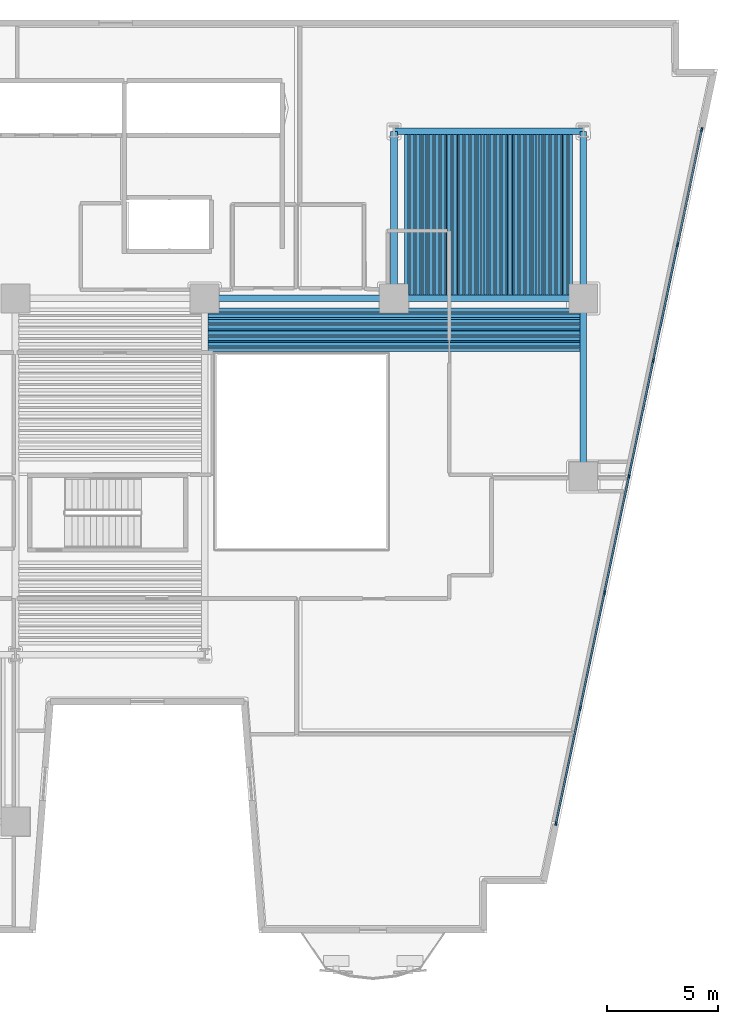
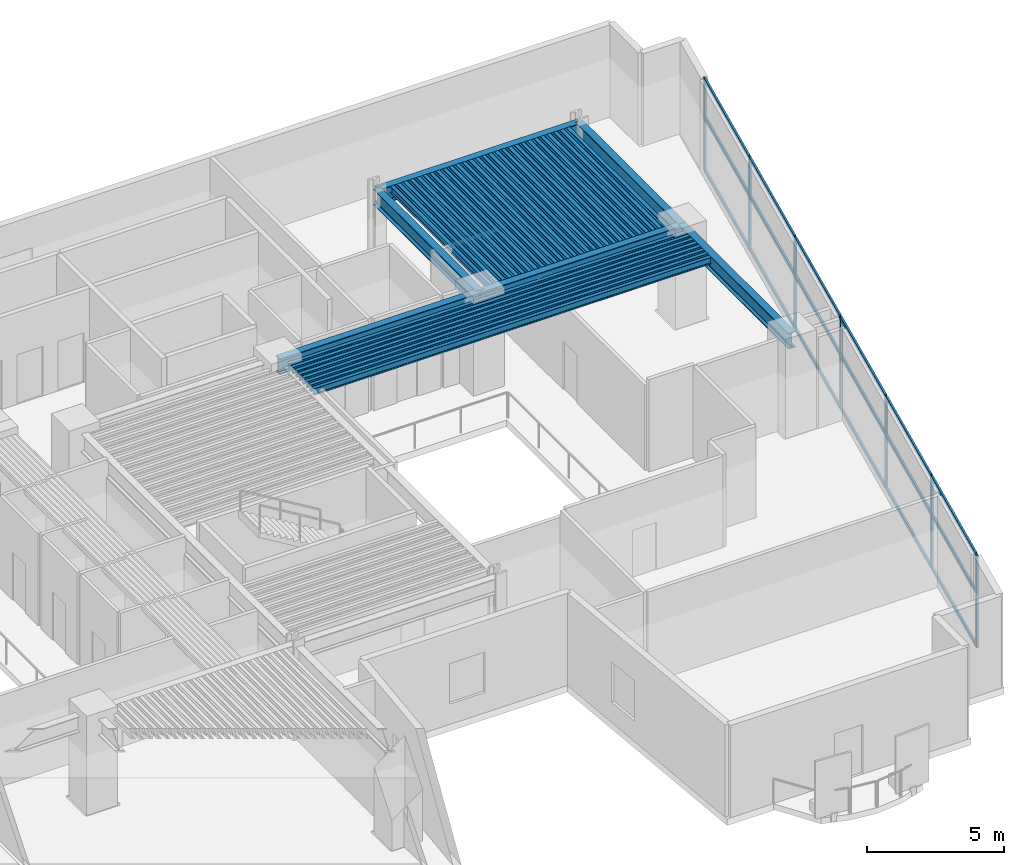
# One storey, part 2 of 11: 76 beams, 25 members, 1 element without a shape of its own.
"""IFC4 building model written with IfcOpenShell, lengths in metres."""

import ifcopenshell
import ifcopenshell.guid

model = None  # the IFC model being written
_history = None  # IfcOwnerHistory: only IFC2X3 demands one
_inside = {}  # id of a spatial element -> (the spatial element, [elements in it])
_under = {}  # id of a project, library or spatial element -> (it, [spatial elements below it])
_declared = {}  # id of a project -> (the project, [libraries it declares])
_typed = {}  # id of a type object -> (the type object, [elements of that type])
_made_of = {}  # id of a material, layer set ... -> (it, [elements and type objects made of it])


def new_model(schema):
    """Start an empty IFC model of exactly this schema.

    Asked for "IFC4X3", IfcOpenShell would pick the latest addendum, in which some entities
    have other attributes; the version numbers below select the first issue.
    IFC2X3 requires an IfcOwnerHistory on every rooted entity: one is made here for all.
    """
    global model, _history
    if schema == "IFC4X3":
        model = ifcopenshell.file(schema_version=(4, 3, 0, 0))
    else:
        model = ifcopenshell.file(schema=schema)
    _inside.clear()
    _under.clear()
    _declared.clear()
    _typed.clear()
    _made_of.clear()
    _history = None
    if model.schema == "IFC2X3":
        org = make("IfcOrganization", Name="unknown")
        user = make(
            "IfcPersonAndOrganization",
            ThePerson=make("IfcPerson", FamilyName="unknown"),
            TheOrganization=org,
        )
        app = make(
            "IfcApplication",
            ApplicationDeveloper=org,
            Version="unknown",
            ApplicationFullName="unknown",
            ApplicationIdentifier="unknown",
        )
        _history = make(
            "IfcOwnerHistory",
            OwningUser=user,
            OwningApplication=app,
            ChangeAction="ADDED",
            CreationDate=0,
        )
    return model


def make(cls, **values):
    """One entity of the class cls with the attributes given. An attribute that is None is left unset."""
    return model.create_entity(
        cls, **{name: value for name, value in values.items() if value is not None}
    )


def rooted(cls, **values):
    """An entity with a GlobalId (a new one), such as an element, a storey or a relation."""
    return make(cls, GlobalId=ifcopenshell.guid.new(), OwnerHistory=_history, **values)


def si_unit(unit_type, name, prefix=None):
    """IfcSIUnit, for example si_unit("LENGTHUNIT", "METRE", prefix="MILLI")."""
    return make("IfcSIUnit", UnitType=unit_type, Prefix=prefix, Name=name)


def assignment(units):
    """IfcUnitAssignment: the units of a project."""
    return None if units is None else make("IfcUnitAssignment", Units=units)


def point(xyz):
    """IfcCartesianPoint."""
    return None if xyz is None else make("IfcCartesianPoint", Coordinates=xyz)


def direction(xyz):
    """IfcDirection."""
    return None if xyz is None else make("IfcDirection", DirectionRatios=xyz)


def frame(location, z_axis=None, x_axis=None):
    """IfcAxis2Placement3D, a coordinate frame: its origin and axes. An axis left out is left unset."""
    return make(
        "IfcAxis2Placement3D",
        Location=point(location),
        Axis=direction(z_axis),
        RefDirection=direction(x_axis),
    )


def frame_2d(location, x_axis=None):
    """IfcAxis2Placement2D, a coordinate frame in the plane: its origin and x axis."""
    return make(
        "IfcAxis2Placement2D", Location=point(location), RefDirection=direction(x_axis)
    )


def origin():
    """The frame at (0, 0, 0) with its axes left unset."""
    return frame((0.0, 0.0, 0.0))


def origin_2d():
    """The frame at (0, 0) in the plane with its x axis left unset."""
    return frame_2d((0.0, 0.0))


def place(relative_to, where):
    """IfcLocalPlacement: puts the frame where relative to a parent placement (None: the world)."""
    return make(
        "IfcLocalPlacement", PlacementRelTo=relative_to, RelativePlacement=where
    )


def context(
    kind, dimensions, precision=None, world=None, true_north=None, identifier=None
):
    """IfcGeometricRepresentationContext, for example the 3D "Model" context."""
    return make(
        "IfcGeometricRepresentationContext",
        ContextIdentifier=identifier,
        ContextType=kind,
        CoordinateSpaceDimension=dimensions,
        Precision=precision,
        WorldCoordinateSystem=world,
        TrueNorth=true_north,
    )


def subcontext(parent, identifier, kind, view, scale=None):
    """IfcGeometricRepresentationSubContext, for example "Body" below "Model"."""
    return make(
        "IfcGeometricRepresentationSubContext",
        ContextIdentifier=identifier,
        ContextType=kind,
        ParentContext=parent,
        TargetScale=scale,
        TargetView=view,
    )


def project(units=None, contexts=None):
    """IfcProject with its units and contexts."""
    return rooted(
        "IfcProject",
        Name="project",
        RepresentationContexts=contexts,
        UnitsInContext=assignment(units),
    )


def spatial(cls, under=None, at=None, **own):
    """A site, building, storey or space (cls), placed at a placement, below another one or the project."""
    s = rooted(cls, ObjectPlacement=at, **own)
    if under is not None:
        _under.setdefault(under.id(), (under, []))[1].append(s)
    return s


def profile(cls, at=None, kind="AREA", **sizes):
    """A parametric profile (cls). Its sizes go by their IFC names, for example OverallWidth=200.0."""
    return make(cls, ProfileType=kind, Position=at, **sizes)


def rectangle(**sizes):
    """IfcRectangleProfileDef."""
    return profile("IfcRectangleProfileDef", **sizes)


def hollow_rectangle(**sizes):
    """IfcRectangleHollowProfileDef."""
    return profile("IfcRectangleHollowProfileDef", **sizes)


def i_section(**sizes):
    """IfcIShapeProfileDef."""
    return profile("IfcIShapeProfileDef", **sizes)


def extrude(swept, where, along, depth):
    """IfcExtrudedAreaSolid: the profile swept, set in the frame where, extruded along a direction by depth."""
    return make(
        "IfcExtrudedAreaSolid",
        SweptArea=swept,
        Position=where,
        ExtrudedDirection=direction(along),
        Depth=depth,
    )


def shape(context_of_items, identifier, shape_type, items):
    """IfcShapeRepresentation: the items that make up one representation, for example the "Body"."""
    return make(
        "IfcShapeRepresentation",
        ContextOfItems=context_of_items,
        RepresentationIdentifier=identifier,
        RepresentationType=shape_type,
        Items=items,
    )


def material(Name=None, Category=None):
    """IfcMaterial."""
    return make("IfcMaterial", Name=Name, Category=Category)


def layer(
    of_material, thickness, ventilated=None, Name=None, Category=None, Priority=None
):
    """IfcMaterialLayer: one layer of a wall or slab, of a material (None: an air gap)."""
    return make(
        "IfcMaterialLayer",
        Material=of_material,
        LayerThickness=thickness,
        IsVentilated=ventilated,
        Name=Name,
        Category=Category,
        Priority=Priority,
    )


def layer_set(layers, Name=None):
    """IfcMaterialLayerSet."""
    return make("IfcMaterialLayerSet", MaterialLayers=layers, LayerSetName=Name)


def material_profile(
    of_material, cross_section, Name=None, Category=None, Priority=None
):
    """IfcMaterialProfile: a cross section and its material."""
    return make(
        "IfcMaterialProfile",
        Name=Name,
        Material=of_material,
        Profile=cross_section,
        Priority=Priority,
        Category=Category,
    )


def profile_set(profiles, Name=None, composite=None):
    """IfcMaterialProfileSet."""
    return make(
        "IfcMaterialProfileSet",
        Name=Name,
        MaterialProfiles=profiles,
        CompositeProfile=composite,
    )


def made_of(thing, what):
    """Note that an element or type object is made of a material, layer set ...; save() writes the relation."""
    if what is not None:
        _made_of.setdefault(what.id(), (what, []))[1].append(thing)
    return thing


def type_object(cls, material=None, **own):
    """A type object (cls), such as IfcWallType, which elements share."""
    return made_of(rooted(cls, **own), material)


def element(
    cls,
    number,
    at=None,
    inside=None,
    cuts=None,
    type_object=None,
    material=None,
    context=None,
    identifier="Body",
    shape_type=None,
    held_by="IfcProductDefinitionShape",
    body=None,
    shapes=None,
    **own,
):
    """One element of the class cls, such as IfcWall. Its Tag is "e" and its number.

    at: its placement. inside: the storey or other place that contains it. cuts: it is an
    opening in that element (IfcRelVoidsElement). A single representation is given by context,
    identifier, shape_type and body (its items); several are given by shapes. held_by: the class
    of the entity that holds the representations. save() writes the other relations.
    """
    e = rooted(cls, Tag="e%d" % number, ObjectPlacement=at, **own)
    if body is not None:
        shapes = [shape(context, identifier, shape_type, body)]
    if shapes is not None:
        e.Representation = make(held_by, Representations=shapes)
    if inside is not None:
        _inside.setdefault(inside.id(), (inside, []))[1].append(e)
    if cuts is not None:
        rooted(
            "IfcRelVoidsElement", RelatingBuildingElement=cuts, RelatedOpeningElement=e
        )
    if type_object is not None:
        _typed.setdefault(type_object.id(), (type_object, []))[1].append(e)
    return made_of(e, material)


def aggregate(whole, parts):
    """IfcRelAggregates: a whole, such as a stair, and the parts it consists of."""
    return rooted("IfcRelAggregates", RelatingObject=whole, RelatedObjects=parts)


def save(model, path):
    """Write the relations noted so far, then the file.

    IfcRelAggregates (storeys below a building ...), IfcRelContainedInSpatialStructure (elements
    in a storey), IfcRelDefinesByType, IfcRelAssociatesMaterial and IfcRelDeclares: one each for
    every whole, place, type object, material and project.
    """
    for whole, parts in _under.values():
        aggregate(whole, parts)
    for where, things in _inside.values():
        rooted(
            "IfcRelContainedInSpatialStructure",
            RelatedElements=things,
            RelatingStructure=where,
        )
    for kind, things in _typed.values():
        rooted("IfcRelDefinesByType", RelatedObjects=things, RelatingType=kind)
    for what, things in _made_of.values():
        rooted("IfcRelAssociatesMaterial", RelatedObjects=things, RelatingMaterial=what)
    for by, libraries in _declared.values():
        rooted("IfcRelDeclares", RelatingContext=by, RelatedDefinitions=libraries)
    model.write(path)


model = new_model("IFC4")

# Units and contexts
model_context = context("Model", 3, precision=1e-05, world=origin(), true_north=direction((0.0, 1.0)))
body_context = subcontext(model_context, "Body", "Model", "MODEL_VIEW")
ifc_project = project(units=[si_unit("LENGTHUNIT", "METRE"), si_unit("AREAUNIT", "SQUARE_METRE"), si_unit("VOLUMEUNIT", "CUBIC_METRE"), si_unit("PLANEANGLEUNIT", "RADIAN"), si_unit("MASSUNIT", "GRAM", prefix="KILO")], contexts=[model_context])

# Site, building, storey
site_placement = place(None, origin())
site = spatial("IfcSite", under=ifc_project, at=site_placement, CompositionType="ELEMENT")
building_placement = place(site_placement, origin())
building = spatial("IfcBuilding", under=site, at=building_placement, Name="Caeloran Harvest Quay", CompositionType="ELEMENT")
storey_placement = place(building_placement, frame((0.0, 0.0, 44.60009765625)))
storey = spatial("IfcBuildingStorey", under=building, at=storey_placement, Name="L10", CompositionType="ELEMENT", Elevation=44.60009765625)

# Beams
ifc_material_1 = material(Name="Steel S355J2", Category="steel")
ifc_material_profile_1 = material_profile(ifc_material_1, i_section(OverallWidth=0.300048828125, OverallDepth=0.699951171875, WebThickness=0.01708984375, FlangeThickness=0.031982421875, FilletRadius=0.027099609375, at=origin_2d()), Name="HE 700 B")
ifc_profile_set_1 = profile_set([ifc_material_profile_1], Name="Steel S355J2")
beam_type_1 = type_object("IfcBeamType", Name="BM-PG-2-HE_700_B", PredefinedType="BEAM", material=ifc_profile_set_1)
for number, where, z_axis, x_axis, name in (
    (1, (34.0, 31.0, 3.75), (1.0, 0.0, 0.0), (0.0, 1.0, 0.0), "L10 Primary East-West Girder Y=31.0"),
    (2, (42.5, 31.0, 3.75), (1.0, 0.0, 0.0), (0.0, 1.0, 0.0), "L10 Primary East-West Girder Y=31.0"),
    (3, (42.5, 38.5, 3.75), (1.0, 0.0, 0.0), (0.0, 1.0, 0.0), "L10 Primary East-West Girder Y=38.5"),
):
    element("IfcBeam", number, at=place(storey_placement, frame(where, z_axis=z_axis, x_axis=x_axis)), inside=storey, type_object=beam_type_1, Name=name, PredefinedType="BEAM", context=body_context, shape_type="SweptSolid", body=[
        extrude(i_section(OverallWidth=0.300048828125, OverallDepth=0.699951171875, WebThickness=0.01708984375, FlangeThickness=0.031982421875, FilletRadius=0.027099609375, at=origin_2d()), origin(), (0.0, 0.0, 1.0), 8.5),
    ])
beam_1_placement = place(storey_placement, frame((42.5, 31.0, 3.75), z_axis=(0.0, 1.0, 0.0), x_axis=(-1.0, 0.0, 0.0)))
element("IfcBeam", 4, at=beam_1_placement, inside=storey, type_object=beam_type_1, Name="L10 Primary North-South Girder X=42.5", PredefinedType="BEAM", context=body_context, shape_type="SweptSolid", body=[
    extrude(i_section(OverallWidth=0.300048828125, OverallDepth=0.699951171875, WebThickness=0.01708984375, FlangeThickness=0.031982421875, FilletRadius=0.027099609375, at=origin_2d()), origin(), (0.0, 0.0, 1.0), 7.5),
])
beam_2_placement = place(storey_placement, frame((51.0, 23.0, 3.75), z_axis=(0.0, 1.0, 0.0), x_axis=(-1.0, 0.0, 0.0)))
element("IfcBeam", 5, at=beam_2_placement, inside=storey, type_object=beam_type_1, Name="L10 Primary North-South Girder X=51.0", PredefinedType="BEAM", context=body_context, shape_type="SweptSolid", body=[
    extrude(i_section(OverallWidth=0.300048828125, OverallDepth=0.699951171875, WebThickness=0.01708984375, FlangeThickness=0.031982421875, FilletRadius=0.027099609375, at=origin_2d()), origin(), (0.0, 0.0, 1.0), 8.0),
])
beam_3_placement = place(storey_placement, frame((51.0, 31.0, 3.75), z_axis=(0.0, 1.0, 0.0), x_axis=(-1.0, 0.0, 0.0)))
element("IfcBeam", 6, at=beam_3_placement, inside=storey, type_object=beam_type_1, Name="L10 Primary North-South Girder X=51.0", PredefinedType="BEAM", context=body_context, shape_type="SweptSolid", body=[
    extrude(i_section(OverallWidth=0.300048828125, OverallDepth=0.699951171875, WebThickness=0.01708984375, FlangeThickness=0.031982421875, FilletRadius=0.027099609375, at=origin_2d()), origin(), (0.0, 0.0, 1.0), 7.5),
])
ifc_material_profile_2 = material_profile(ifc_material_1, i_section(OverallWidth=0.14990234375, OverallDepth=0.300048828125, WebThickness=0.007080078125, FlangeThickness=0.0107421875, FilletRadius=0.014892578125, at=origin_2d()), Name="IPE 300")
ifc_profile_set_2 = profile_set([ifc_material_profile_2], Name="Steel S355J2")
beam_type_2 = type_object("IfcBeamType", Name="BM-SB-6-IPE_300", PredefinedType="JOIST", material=ifc_profile_set_2)
for number, where, z_axis, x_axis, name in (
    (7, (43.04833984375, 31.14501953125, 3.949951171875), (0.0, 1.0, 0.0), (-1.0, 0.0, 0.0), "L10 Secondary Composite Joist"),
    (8, (43.322509765625, 31.14501953125, 3.949951171875), (0.0, 1.0, 0.0), (-1.0, 0.0, 0.0), "L10 Secondary Composite Joist"),
    (9, (43.5966796875, 31.14501953125, 3.949951171875), (0.0, 1.0, 0.0), (-1.0, 0.0, 0.0), "L10 Secondary Composite Joist"),
    (10, (43.87109375, 31.14501953125, 3.949951171875), (0.0, 1.0, 0.0), (-1.0, 0.0, 0.0), "L10 Secondary Composite Joist"),
    (11, (44.145263671875, 31.14501953125, 3.949951171875), (0.0, 1.0, 0.0), (-1.0, 0.0, 0.0), "L10 Secondary Composite Joist"),
    (12, (44.41943359375, 31.14501953125, 3.949951171875), (0.0, 1.0, 0.0), (-1.0, 0.0, 0.0), "L10 Secondary Composite Joist"),
    (13, (44.693603515625, 31.14501953125, 3.949951171875), (0.0, 1.0, 0.0), (-1.0, 0.0, 0.0), "L10 Secondary Composite Joist"),
    (14, (44.9677734375, 31.14501953125, 3.949951171875), (0.0, 1.0, 0.0), (-1.0, 0.0, 0.0), "L10 Secondary Composite Joist"),
    (15, (45.241943359375, 31.14501953125, 3.949951171875), (0.0, 1.0, 0.0), (-1.0, 0.0, 0.0), "L10 Secondary Composite Joist"),
    (16, (45.51611328125, 31.14501953125, 3.949951171875), (0.0, 1.0, 0.0), (-1.0, 0.0, 0.0), "L10 Secondary Composite Joist"),
    (17, (45.790283203125, 31.14501953125, 3.949951171875), (0.0, 1.0, 0.0), (-1.0, 0.0, 0.0), "L10 Secondary Composite Joist"),
    (18, (46.064453125, 31.14501953125, 3.949951171875), (0.0, 1.0, 0.0), (-1.0, 0.0, 0.0), "L10 Secondary Composite Joist"),
    (19, (46.338623046875, 31.14501953125, 3.949951171875), (0.0, 1.0, 0.0), (-1.0, 0.0, 0.0), "L10 Secondary Composite Joist"),
    (20, (46.61279296875, 31.14501953125, 3.949951171875), (0.0, 1.0, 0.0), (-1.0, 0.0, 0.0), "L10 Secondary Composite Joist"),
    (21, (46.88720703125, 31.14501953125, 3.949951171875), (0.0, 1.0, 0.0), (-1.0, 0.0, 0.0), "L10 Secondary Composite Joist"),
    (22, (47.161376953125, 31.14501953125, 3.949951171875), (0.0, 1.0, 0.0), (-1.0, 0.0, 0.0), "L10 Secondary Composite Joist"),
    (23, (47.435546875, 31.14501953125, 3.949951171875), (0.0, 1.0, 0.0), (-1.0, 0.0, 0.0), "L10 Secondary Composite Joist"),
    (24, (47.709716796875, 31.14501953125, 3.949951171875), (0.0, 1.0, 0.0), (-1.0, 0.0, 0.0), "L10 Secondary Composite Joist"),
    (25, (47.98388671875, 31.14501953125, 3.949951171875), (0.0, 1.0, 0.0), (-1.0, 0.0, 0.0), "L10 Secondary Composite Joist"),
    (26, (48.258056640625, 31.14501953125, 3.949951171875), (0.0, 1.0, 0.0), (-1.0, 0.0, 0.0), "L10 Secondary Composite Joist"),
    (27, (48.5322265625, 31.14501953125, 3.949951171875), (0.0, 1.0, 0.0), (-1.0, 0.0, 0.0), "L10 Secondary Composite Joist"),
    (28, (48.806396484375, 31.14501953125, 3.949951171875), (0.0, 1.0, 0.0), (-1.0, 0.0, 0.0), "L10 Secondary Composite Joist"),
    (29, (49.08056640625, 31.14501953125, 3.949951171875), (0.0, 1.0, 0.0), (-1.0, 0.0, 0.0), "L10 Secondary Composite Joist"),
    (30, (49.354736328125, 31.14501953125, 3.949951171875), (0.0, 1.0, 0.0), (-1.0, 0.0, 0.0), "L10 Secondary Composite Joist"),
    (31, (49.62890625, 31.14501953125, 3.949951171875), (0.0, 1.0, 0.0), (-1.0, 0.0, 0.0), "L10 Secondary Composite Joist"),
    (32, (49.9033203125, 31.14501953125, 3.949951171875), (0.0, 1.0, 0.0), (-1.0, 0.0, 0.0), "L10 Secondary Composite Joist"),
    (33, (50.177490234375, 31.14501953125, 3.949951171875), (0.0, 1.0, 0.0), (-1.0, 0.0, 0.0), "L10 Secondary Composite Joist"),
    (34, (50.45166015625, 31.14501953125, 3.949951171875), (0.0, 1.0, 0.0), (-1.0, 0.0, 0.0), "L10 Secondary Composite Joist"),
):
    element("IfcBeam", number, at=place(storey_placement, frame(where, z_axis=z_axis, x_axis=x_axis)), inside=storey, type_object=beam_type_2, Name=name, PredefinedType="JOIST", context=body_context, shape_type="SweptSolid", body=[
        extrude(i_section(OverallWidth=0.14990234375, OverallDepth=0.300048828125, WebThickness=0.007080078125, FlangeThickness=0.0107421875, FilletRadius=0.014892578125, at=origin_2d()), origin(), (0.0, 0.0, 1.0), 7.2099609375),
    ])
for number, where, z_axis, x_axis, name in (
    (35, (34.14501953125, 28.677490234375, 3.949951171875), (1.0, 0.0, 0.0), (0.0, 1.0, 0.0), "L10 Secondary East-West Composite Joist"),
    (36, (34.14501953125, 28.935546875, 3.949951171875), (1.0, 0.0, 0.0), (0.0, 1.0, 0.0), "L10 Secondary East-West Composite Joist"),
    (37, (34.14501953125, 29.193603515625, 3.949951171875), (1.0, 0.0, 0.0), (0.0, 1.0, 0.0), "L10 Secondary East-West Composite Joist"),
    (38, (34.14501953125, 29.45166015625, 3.949951171875), (1.0, 0.0, 0.0), (0.0, 1.0, 0.0), "L10 Secondary East-West Composite Joist"),
    (39, (34.14501953125, 29.709716796875, 3.949951171875), (1.0, 0.0, 0.0), (0.0, 1.0, 0.0), "L10 Secondary East-West Composite Joist"),
    (40, (34.14501953125, 29.9677734375, 3.949951171875), (1.0, 0.0, 0.0), (0.0, 1.0, 0.0), "L10 Secondary East-West Composite Joist"),
    (41, (34.14501953125, 30.225830078125, 3.949951171875), (1.0, 0.0, 0.0), (0.0, 1.0, 0.0), "L10 Secondary East-West Composite Joist"),
    (42, (34.14501953125, 30.48388671875, 3.949951171875), (1.0, 0.0, 0.0), (0.0, 1.0, 0.0), "L10 Secondary East-West Composite Joist"),
):
    element("IfcBeam", number, at=place(storey_placement, frame(where, z_axis=z_axis, x_axis=x_axis)), inside=storey, type_object=beam_type_2, Name=name, PredefinedType="JOIST", context=body_context, shape_type="SweptSolid", body=[
        extrude(i_section(OverallWidth=0.14990234375, OverallDepth=0.300048828125, WebThickness=0.007080078125, FlangeThickness=0.0107421875, FilletRadius=0.014892578125, at=origin_2d()), origin(), (0.0, 0.0, 1.0), 16.7099609375),
    ])
ifc_material_profile_3 = material_profile(ifc_material_1, hollow_rectangle(XDim=0.080078125, YDim=0.199951171875, WallThickness=0.006103515625, InnerFilletRadius=0.006103515625, OuterFilletRadius=0.009033203125, at=origin_2d()), Name="RHS 200x80x6")
ifc_profile_set_3 = profile_set([ifc_material_profile_3], Name="Steel S355J2")
beam_type_3 = type_object("IfcBeamType", Name="BM-SB-7-RHS_200x80x6", PredefinedType="JOIST", material=ifc_profile_set_3)
for number, where, z_axis, x_axis, name in (
    (43, (43.185546875, 31.14501953125, 4.0), (0.0, 1.0, 0.0), (-1.0, 0.0, 0.0), "L10 Secondary Composite Joist"),
    (44, (43.459716796875, 31.14501953125, 4.0), (0.0, 1.0, 0.0), (-1.0, 0.0, 0.0), "L10 Secondary Composite Joist"),
    (45, (43.73388671875, 31.14501953125, 4.0), (0.0, 1.0, 0.0), (-1.0, 0.0, 0.0), "L10 Secondary Composite Joist"),
    (46, (44.008056640625, 31.14501953125, 4.0), (0.0, 1.0, 0.0), (-1.0, 0.0, 0.0), "L10 Secondary Composite Joist"),
    (47, (44.2822265625, 31.14501953125, 4.0), (0.0, 1.0, 0.0), (-1.0, 0.0, 0.0), "L10 Secondary Composite Joist"),
    (48, (44.556396484375, 31.14501953125, 4.0), (0.0, 1.0, 0.0), (-1.0, 0.0, 0.0), "L10 Secondary Composite Joist"),
    (49, (44.83056640625, 31.14501953125, 4.0), (0.0, 1.0, 0.0), (-1.0, 0.0, 0.0), "L10 Secondary Composite Joist"),
    (50, (45.104736328125, 31.14501953125, 4.0), (0.0, 1.0, 0.0), (-1.0, 0.0, 0.0), "L10 Secondary Composite Joist"),
    (51, (45.37890625, 31.14501953125, 4.0), (0.0, 1.0, 0.0), (-1.0, 0.0, 0.0), "L10 Secondary Composite Joist"),
    (52, (45.6533203125, 31.14501953125, 4.0), (0.0, 1.0, 0.0), (-1.0, 0.0, 0.0), "L10 Secondary Composite Joist"),
    (53, (45.927490234375, 31.14501953125, 4.0), (0.0, 1.0, 0.0), (-1.0, 0.0, 0.0), "L10 Secondary Composite Joist"),
    (54, (46.20166015625, 31.14501953125, 4.0), (0.0, 1.0, 0.0), (-1.0, 0.0, 0.0), "L10 Secondary Composite Joist"),
    (55, (46.475830078125, 31.14501953125, 4.0), (0.0, 1.0, 0.0), (-1.0, 0.0, 0.0), "L10 Secondary Composite Joist"),
    (56, (46.75, 31.14501953125, 4.0), (0.0, 1.0, 0.0), (-1.0, 0.0, 0.0), "L10 Secondary Composite Joist"),
    (57, (47.024169921875, 31.14501953125, 4.0), (0.0, 1.0, 0.0), (-1.0, 0.0, 0.0), "L10 Secondary Composite Joist"),
    (58, (47.29833984375, 31.14501953125, 4.0), (0.0, 1.0, 0.0), (-1.0, 0.0, 0.0), "L10 Secondary Composite Joist"),
    (59, (47.572509765625, 31.14501953125, 4.0), (0.0, 1.0, 0.0), (-1.0, 0.0, 0.0), "L10 Secondary Composite Joist"),
    (60, (47.8466796875, 31.14501953125, 4.0), (0.0, 1.0, 0.0), (-1.0, 0.0, 0.0), "L10 Secondary Composite Joist"),
    (61, (48.12109375, 31.14501953125, 4.0), (0.0, 1.0, 0.0), (-1.0, 0.0, 0.0), "L10 Secondary Composite Joist"),
    (62, (48.395263671875, 31.14501953125, 4.0), (0.0, 1.0, 0.0), (-1.0, 0.0, 0.0), "L10 Secondary Composite Joist"),
    (63, (48.66943359375, 31.14501953125, 4.0), (0.0, 1.0, 0.0), (-1.0, 0.0, 0.0), "L10 Secondary Composite Joist"),
    (64, (48.943603515625, 31.14501953125, 4.0), (0.0, 1.0, 0.0), (-1.0, 0.0, 0.0), "L10 Secondary Composite Joist"),
    (65, (49.2177734375, 31.14501953125, 4.0), (0.0, 1.0, 0.0), (-1.0, 0.0, 0.0), "L10 Secondary Composite Joist"),
    (66, (49.491943359375, 31.14501953125, 4.0), (0.0, 1.0, 0.0), (-1.0, 0.0, 0.0), "L10 Secondary Composite Joist"),
    (67, (49.76611328125, 31.14501953125, 4.0), (0.0, 1.0, 0.0), (-1.0, 0.0, 0.0), "L10 Secondary Composite Joist"),
    (68, (50.040283203125, 31.14501953125, 4.0), (0.0, 1.0, 0.0), (-1.0, 0.0, 0.0), "L10 Secondary Composite Joist"),
    (69, (50.314453125, 31.14501953125, 4.0), (0.0, 1.0, 0.0), (-1.0, 0.0, 0.0), "L10 Secondary Composite Joist"),
):
    element("IfcBeam", number, at=place(storey_placement, frame(where, z_axis=z_axis, x_axis=x_axis)), inside=storey, type_object=beam_type_3, Name=name, PredefinedType="JOIST", context=body_context, shape_type="SweptSolid", body=[
        extrude(hollow_rectangle(XDim=0.080078125, YDim=0.199951171875, WallThickness=0.006103515625, InnerFilletRadius=0.006103515625, OuterFilletRadius=0.009033203125, at=origin_2d()), origin(), (0.0, 0.0, 1.0), 7.2099609375),
    ])
for number, where, z_axis, x_axis, name in (
    (70, (34.14501953125, 28.806396484375, 4.0), (1.0, 0.0, 0.0), (0.0, 1.0, 0.0), "L10 Secondary East-West Composite Joist"),
    (71, (34.14501953125, 29.064453125, 4.0), (1.0, 0.0, 0.0), (0.0, 1.0, 0.0), "L10 Secondary East-West Composite Joist"),
    (72, (34.14501953125, 29.322509765625, 4.0), (1.0, 0.0, 0.0), (0.0, 1.0, 0.0), "L10 Secondary East-West Composite Joist"),
    (73, (34.14501953125, 29.58056640625, 4.0), (1.0, 0.0, 0.0), (0.0, 1.0, 0.0), "L10 Secondary East-West Composite Joist"),
    (74, (34.14501953125, 29.838623046875, 4.0), (1.0, 0.0, 0.0), (0.0, 1.0, 0.0), "L10 Secondary East-West Composite Joist"),
    (75, (34.14501953125, 30.0966796875, 4.0), (1.0, 0.0, 0.0), (0.0, 1.0, 0.0), "L10 Secondary East-West Composite Joist"),
    (76, (34.14501953125, 30.354736328125, 4.0), (1.0, 0.0, 0.0), (0.0, 1.0, 0.0), "L10 Secondary East-West Composite Joist"),
):
    element("IfcBeam", number, at=place(storey_placement, frame(where, z_axis=z_axis, x_axis=x_axis)), inside=storey, type_object=beam_type_3, Name=name, PredefinedType="JOIST", context=body_context, shape_type="SweptSolid", body=[
        extrude(hollow_rectangle(XDim=0.080078125, YDim=0.199951171875, WallThickness=0.006103515625, InnerFilletRadius=0.006103515625, OuterFilletRadius=0.009033203125, at=origin_2d()), origin(), (0.0, 0.0, 1.0), 16.7099609375),
    ])

# Curtain wall, members
ifc_material_2 = material(Name="Aluminium 6063-T6 and Low-E Glazing", Category="aluminium")
ifc_layer = layer(ifc_material_2, 0.199951171875, Name="Aluminium 6063-T6 and Low-E Glazing")
ifc_layer_set = layer_set([ifc_layer], Name="Aluminium 6063-T6 and Low-E Glazing")
curtain_wall_type = type_object("IfcCurtainWallType", Name="CW-SYS-CW-2", PredefinedType="USERDEFINED", material=ifc_layer_set)
curtain_wall_placement = place(storey_placement, origin())
curtain_wall = element("IfcCurtainWall", 77, at=curtain_wall_placement, inside=storey, type_object=curtain_wall_type, Name="L10 Unitised Curtain Wall CW-2 Run 9", ObjectType="CURTAIN_WALL", PredefinedType="USERDEFINED")
ifc_material_3 = material(Name="Aluminium 6063-T6", Category="aluminium")
ifc_material_profile_4 = material_profile(ifc_material_3, rectangle(XDim=0.080078125, YDim=0.179931640625, at=origin_2d()), Name="CW-MULLION-180")
ifc_profile_set_4 = profile_set([ifc_material_profile_4], Name="Aluminium 6063-T6")
member_type_1 = type_object("IfcMemberType", Name="CW-MULLION-180", PredefinedType="MULLION", material=ifc_profile_set_4)
member_1_placement = place(storey_placement, frame((56.322509765625, 38.576416015625, 0.0), z_axis=(0.0, 0.0, 1.0), x_axis=(0.978639691881, -0.205582960081, 0.0)))
member_1 = element("IfcMember", 78, at=member_1_placement, type_object=member_type_1, Name="CW-2 mullion 1", PredefinedType="MULLION", context=body_context, shape_type="SweptSolid", body=[
    extrude(rectangle(XDim=0.080078125, YDim=0.179931640625, at=origin_2d()), origin(), (0.0, 0.0, 1.0), 4.099853515625),
])
member_2_placement = place(storey_placement, frame((55.2373046875, 33.410400390625, 0.0), z_axis=(0.0, 0.0, 1.0), x_axis=(0.978639691881, -0.205582960081, 0.0)))
member_2 = element("IfcMember", 79, at=member_2_placement, type_object=member_type_1, Name="CW-2 mullion 2", PredefinedType="MULLION", context=body_context, shape_type="SweptSolid", body=[
    extrude(rectangle(XDim=0.080078125, YDim=0.179931640625, at=origin_2d()), origin(), (0.0, 0.0, 1.0), 4.099853515625),
])
member_3_placement = place(storey_placement, frame((54.143798828125, 28.205078125, 0.0), z_axis=(0.0, 0.0, 1.0), x_axis=(0.978639691881, -0.205582960081, 0.0)))
member_3 = element("IfcMember", 80, at=member_3_placement, type_object=member_type_1, Name="CW-2 mullion 3", PredefinedType="MULLION", context=body_context, shape_type="SweptSolid", body=[
    extrude(rectangle(XDim=0.080078125, YDim=0.179931640625, at=origin_2d()), origin(), (0.0, 0.0, 1.0), 4.099853515625),
])
member_4_placement = place(storey_placement, frame((53.050537109375, 23.0, 0.0), z_axis=(0.0, 0.0, 1.0), x_axis=(0.978639691881, -0.205582960081, 0.0)))
member_4 = element("IfcMember", 81, at=member_4_placement, type_object=member_type_1, Name="CW-2 mullion 4", PredefinedType="MULLION", context=body_context, shape_type="SweptSolid", body=[
    extrude(rectangle(XDim=0.080078125, YDim=0.179931640625, at=origin_2d()), origin(), (0.0, 0.0, 1.0), 4.099853515625),
])
member_5_placement = place(storey_placement, frame((51.95703125, 17.794921875, 0.0), z_axis=(0.0, 0.0, 1.0), x_axis=(0.978639691881, -0.205582960081, 0.0)))
member_5 = element("IfcMember", 82, at=member_5_placement, type_object=member_type_1, Name="CW-2 mullion 5", PredefinedType="MULLION", context=body_context, shape_type="SweptSolid", body=[
    extrude(rectangle(XDim=0.080078125, YDim=0.179931640625, at=origin_2d()), origin(), (0.0, 0.0, 1.0), 4.099853515625),
])
member_6_placement = place(storey_placement, frame((50.863525390625, 12.589599609375, 0.0), z_axis=(0.0, 0.0, 1.0), x_axis=(0.978639691881, -0.205582960081, 0.0)))
member_6 = element("IfcMember", 83, at=member_6_placement, type_object=member_type_1, Name="CW-2 mullion 6", PredefinedType="MULLION", context=body_context, shape_type="SweptSolid", body=[
    extrude(rectangle(XDim=0.080078125, YDim=0.179931640625, at=origin_2d()), origin(), (0.0, 0.0, 1.0), 4.099853515625),
])
member_7_placement = place(storey_placement, frame((49.7783203125, 7.423583984375, 0.0), z_axis=(0.0, 0.0, 1.0), x_axis=(0.978639691881, -0.205582960081, 0.0)))
member_7 = element("IfcMember", 84, at=member_7_placement, type_object=member_type_1, Name="CW-2 mullion 7", PredefinedType="MULLION", context=body_context, shape_type="SweptSolid", body=[
    extrude(rectangle(XDim=0.080078125, YDim=0.179931640625, at=origin_2d()), origin(), (0.0, 0.0, 1.0), 4.099853515625),
])
ifc_material_profile_5 = material_profile(ifc_material_3, rectangle(XDim=0.080078125, YDim=0.14990234375, at=origin_2d()), Name="CW-TRANSOM-150")
ifc_profile_set_5 = profile_set([ifc_material_profile_5], Name="Aluminium 6063-T6")
member_type_2 = type_object("IfcMemberType", Name="CW-TRANSOM-150", PredefinedType="USERDEFINED", material=ifc_profile_set_5)
member_8_placement = place(storey_placement, frame((56.314453125, 38.537109375, 0.039794921875), z_axis=(-0.205598644178, -0.978636396989, 0.0), x_axis=(0.978636396989, -0.205598644178, 0.0)))
member_8 = element("IfcMember", 85, at=member_8_placement, type_object=member_type_2, Name="CW-2 transom 1.1", ObjectType="TRANSOM", PredefinedType="USERDEFINED", context=body_context, shape_type="SweptSolid", body=[
    extrude(rectangle(XDim=0.080078125, YDim=0.14990234375, at=origin_2d()), origin(), (0.0, 0.0, 1.0), 5.19873046875),
])
member_9_placement = place(storey_placement, frame((56.314453125, 38.537109375, 2.39990234375), z_axis=(-0.205598644178, -0.978636396989, 0.0), x_axis=(0.978636396989, -0.205598644178, 0.0)))
member_9 = element("IfcMember", 86, at=member_9_placement, type_object=member_type_2, Name="CW-2 transom 1.2", ObjectType="TRANSOM", PredefinedType="USERDEFINED", context=body_context, shape_type="SweptSolid", body=[
    extrude(rectangle(XDim=0.080078125, YDim=0.14990234375, at=origin_2d()), origin(), (0.0, 0.0, 1.0), 5.19873046875),
])
member_10_placement = place(storey_placement, frame((56.314453125, 38.537109375, 4.059814453125), z_axis=(-0.205598644178, -0.978636396989, 0.0), x_axis=(0.978636396989, -0.205598644178, 0.0)))
member_10 = element("IfcMember", 87, at=member_10_placement, type_object=member_type_2, Name="CW-2 transom 1.3", ObjectType="TRANSOM", PredefinedType="USERDEFINED", context=body_context, shape_type="SweptSolid", body=[
    extrude(rectangle(XDim=0.080078125, YDim=0.14990234375, at=origin_2d()), origin(), (0.0, 0.0, 1.0), 5.19873046875),
])
member_11_placement = place(storey_placement, frame((55.229248046875, 33.37109375, 0.039794921875), z_axis=(-0.205615877389, -0.97863277636, 0.0), x_axis=(0.97863277636, -0.205615877389, 0.0)))
member_11 = element("IfcMember", 88, at=member_11_placement, type_object=member_type_2, Name="CW-2 transom 2.1", ObjectType="TRANSOM", PredefinedType="USERDEFINED", context=body_context, shape_type="SweptSolid", body=[
    extrude(rectangle(XDim=0.080078125, YDim=0.14990234375, at=origin_2d()), origin(), (0.0, 0.0, 1.0), 5.238525390625),
])
member_12_placement = place(storey_placement, frame((55.229248046875, 33.37109375, 2.39990234375), z_axis=(-0.205615877389, -0.97863277636, 0.0), x_axis=(0.97863277636, -0.205615877389, 0.0)))
member_12 = element("IfcMember", 89, at=member_12_placement, type_object=member_type_2, Name="CW-2 transom 2.2", ObjectType="TRANSOM", PredefinedType="USERDEFINED", context=body_context, shape_type="SweptSolid", body=[
    extrude(rectangle(XDim=0.080078125, YDim=0.14990234375, at=origin_2d()), origin(), (0.0, 0.0, 1.0), 5.238525390625),
])
member_13_placement = place(storey_placement, frame((55.229248046875, 33.37109375, 4.059814453125), z_axis=(-0.205615877389, -0.97863277636, 0.0), x_axis=(0.97863277636, -0.205615877389, 0.0)))
member_13 = element("IfcMember", 90, at=member_13_placement, type_object=member_type_2, Name="CW-2 transom 2.3", ObjectType="TRANSOM", PredefinedType="USERDEFINED", context=body_context, shape_type="SweptSolid", body=[
    extrude(rectangle(XDim=0.080078125, YDim=0.14990234375, at=origin_2d()), origin(), (0.0, 0.0, 1.0), 5.238525390625),
])
member_14_placement = place(storey_placement, frame((54.1357421875, 28.166015625, 0.039794921875), z_axis=(-0.205606500081, -0.978634746534, 0.0), x_axis=(0.978634746534, -0.205606500081, 0.0)))
member_14 = element("IfcMember", 91, at=member_14_placement, type_object=member_type_2, Name="CW-2 transom 3.1", ObjectType="TRANSOM", PredefinedType="USERDEFINED", context=body_context, shape_type="SweptSolid", body=[
    extrude(rectangle(XDim=0.080078125, YDim=0.14990234375, at=origin_2d()), origin(), (0.0, 0.0, 1.0), 5.23876953125),
])
member_15_placement = place(storey_placement, frame((54.1357421875, 28.166015625, 2.39990234375), z_axis=(-0.205606500081, -0.978634746534, 0.0), x_axis=(0.978634746534, -0.205606500081, 0.0)))
member_15 = element("IfcMember", 92, at=member_15_placement, type_object=member_type_2, Name="CW-2 transom 3.2", ObjectType="TRANSOM", PredefinedType="USERDEFINED", context=body_context, shape_type="SweptSolid", body=[
    extrude(rectangle(XDim=0.080078125, YDim=0.14990234375, at=origin_2d()), origin(), (0.0, 0.0, 1.0), 5.23876953125),
])
member_16_placement = place(storey_placement, frame((54.1357421875, 28.166015625, 4.059814453125), z_axis=(-0.205606500081, -0.978634746534, 0.0), x_axis=(0.978634746534, -0.205606500081, 0.0)))
member_16 = element("IfcMember", 93, at=member_16_placement, type_object=member_type_2, Name="CW-2 transom 3.3", ObjectType="TRANSOM", PredefinedType="USERDEFINED", context=body_context, shape_type="SweptSolid", body=[
    extrude(rectangle(XDim=0.080078125, YDim=0.14990234375, at=origin_2d()), origin(), (0.0, 0.0, 1.0), 5.23876953125),
])
member_17_placement = place(storey_placement, frame((53.042236328125, 22.9609375, 0.039794921875), z_axis=(-0.205561867825, -0.978644122496, 0.0), x_axis=(0.978644122496, -0.205561867825, 0.0)))
member_17 = element("IfcMember", 94, at=member_17_placement, type_object=member_type_2, Name="CW-2 transom 4.1", ObjectType="TRANSOM", PredefinedType="USERDEFINED", context=body_context, shape_type="SweptSolid", body=[
    extrude(rectangle(XDim=0.080078125, YDim=0.14990234375, at=origin_2d()), origin(), (0.0, 0.0, 1.0), 5.23876953125),
])
member_18_placement = place(storey_placement, frame((53.042236328125, 22.9609375, 2.39990234375), z_axis=(-0.205561867825, -0.978644122496, 0.0), x_axis=(0.978644122496, -0.205561867825, 0.0)))
member_18 = element("IfcMember", 95, at=member_18_placement, type_object=member_type_2, Name="CW-2 transom 4.2", ObjectType="TRANSOM", PredefinedType="USERDEFINED", context=body_context, shape_type="SweptSolid", body=[
    extrude(rectangle(XDim=0.080078125, YDim=0.14990234375, at=origin_2d()), origin(), (0.0, 0.0, 1.0), 5.23876953125),
])
member_19_placement = place(storey_placement, frame((53.042236328125, 22.9609375, 4.059814453125), z_axis=(-0.205561867825, -0.978644122496, 0.0), x_axis=(0.978644122496, -0.205561867825, 0.0)))
member_19 = element("IfcMember", 96, at=member_19_placement, type_object=member_type_2, Name="CW-2 transom 4.3", ObjectType="TRANSOM", PredefinedType="USERDEFINED", context=body_context, shape_type="SweptSolid", body=[
    extrude(rectangle(XDim=0.080078125, YDim=0.14990234375, at=origin_2d()), origin(), (0.0, 0.0, 1.0), 5.23876953125),
])
member_20_placement = place(storey_placement, frame((51.94873046875, 17.755615234375, 0.039794921875), z_axis=(-0.205571243277, -0.978642153158, 0.0), x_axis=(0.978642153158, -0.205571243277, 0.0)))
member_20 = element("IfcMember", 97, at=member_20_placement, type_object=member_type_2, Name="CW-2 transom 5.1", ObjectType="TRANSOM", PredefinedType="USERDEFINED", context=body_context, shape_type="SweptSolid", body=[
    extrude(rectangle(XDim=0.080078125, YDim=0.14990234375, at=origin_2d()), origin(), (0.0, 0.0, 1.0), 5.238525390625),
])
member_21_placement = place(storey_placement, frame((51.94873046875, 17.755615234375, 2.39990234375), z_axis=(-0.205571243277, -0.978642153158, 0.0), x_axis=(0.978642153158, -0.205571243277, 0.0)))
member_21 = element("IfcMember", 98, at=member_21_placement, type_object=member_type_2, Name="CW-2 transom 5.2", ObjectType="TRANSOM", PredefinedType="USERDEFINED", context=body_context, shape_type="SweptSolid", body=[
    extrude(rectangle(XDim=0.080078125, YDim=0.14990234375, at=origin_2d()), origin(), (0.0, 0.0, 1.0), 5.238525390625),
])
member_22_placement = place(storey_placement, frame((51.94873046875, 17.755615234375, 4.059814453125), z_axis=(-0.205571243277, -0.978642153158, 0.0), x_axis=(0.978642153158, -0.205571243277, 0.0)))
member_22 = element("IfcMember", 99, at=member_22_placement, type_object=member_type_2, Name="CW-2 transom 5.3", ObjectType="TRANSOM", PredefinedType="USERDEFINED", context=body_context, shape_type="SweptSolid", body=[
    extrude(rectangle(XDim=0.080078125, YDim=0.14990234375, at=origin_2d()), origin(), (0.0, 0.0, 1.0), 5.238525390625),
])
member_23_placement = place(storey_placement, frame((50.855224609375, 12.550537109375, 0.039794921875), z_axis=(-0.205553666865, -0.978645845052, 0.0), x_axis=(0.978645845052, -0.205553666865, 0.0)))
member_23 = element("IfcMember", 100, at=member_23_placement, type_object=member_type_2, Name="CW-2 transom 6.1", ObjectType="TRANSOM", PredefinedType="USERDEFINED", context=body_context, shape_type="SweptSolid", body=[
    extrude(rectangle(XDim=0.080078125, YDim=0.14990234375, at=origin_2d()), origin(), (0.0, 0.0, 1.0), 5.19873046875),
])
member_24_placement = place(storey_placement, frame((50.855224609375, 12.550537109375, 2.39990234375), z_axis=(-0.205553666865, -0.978645845052, 0.0), x_axis=(0.978645845052, -0.205553666865, 0.0)))
member_24 = element("IfcMember", 101, at=member_24_placement, type_object=member_type_2, Name="CW-2 transom 6.2", ObjectType="TRANSOM", PredefinedType="USERDEFINED", context=body_context, shape_type="SweptSolid", body=[
    extrude(rectangle(XDim=0.080078125, YDim=0.14990234375, at=origin_2d()), origin(), (0.0, 0.0, 1.0), 5.19873046875),
])
member_25_placement = place(storey_placement, frame((50.855224609375, 12.550537109375, 4.059814453125), z_axis=(-0.205553666865, -0.978645845052, 0.0), x_axis=(0.978645845052, -0.205553666865, 0.0)))
member_25 = element("IfcMember", 102, at=member_25_placement, type_object=member_type_2, Name="CW-2 transom 6.3", ObjectType="TRANSOM", PredefinedType="USERDEFINED", context=body_context, shape_type="SweptSolid", body=[
    extrude(rectangle(XDim=0.080078125, YDim=0.14990234375, at=origin_2d()), origin(), (0.0, 0.0, 1.0), 5.19873046875),
])
aggregate(curtain_wall, [member_1, member_2, member_3, member_4, member_5, member_6, member_7, member_8, member_9, member_10, member_11, member_12, member_13, member_14, member_15, member_16, member_17, member_18, member_19, member_20, member_21, member_22, member_23, member_24, member_25])

save(model, "model.ifc")
